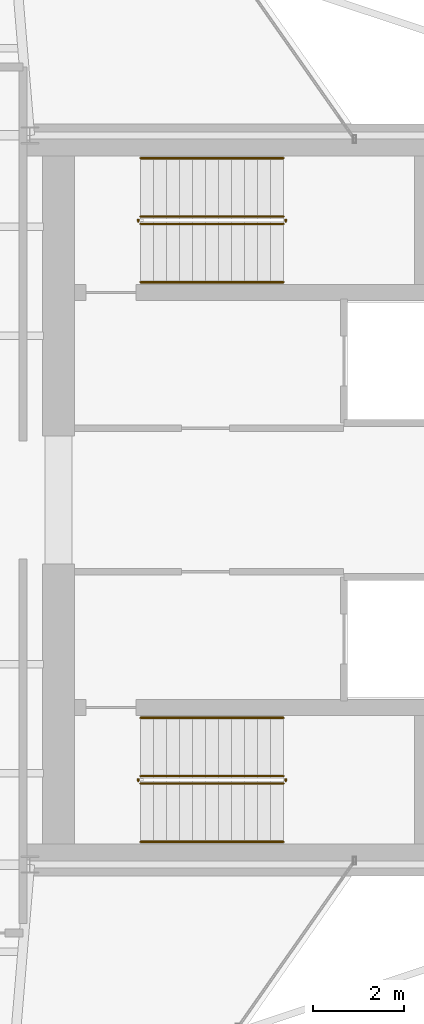
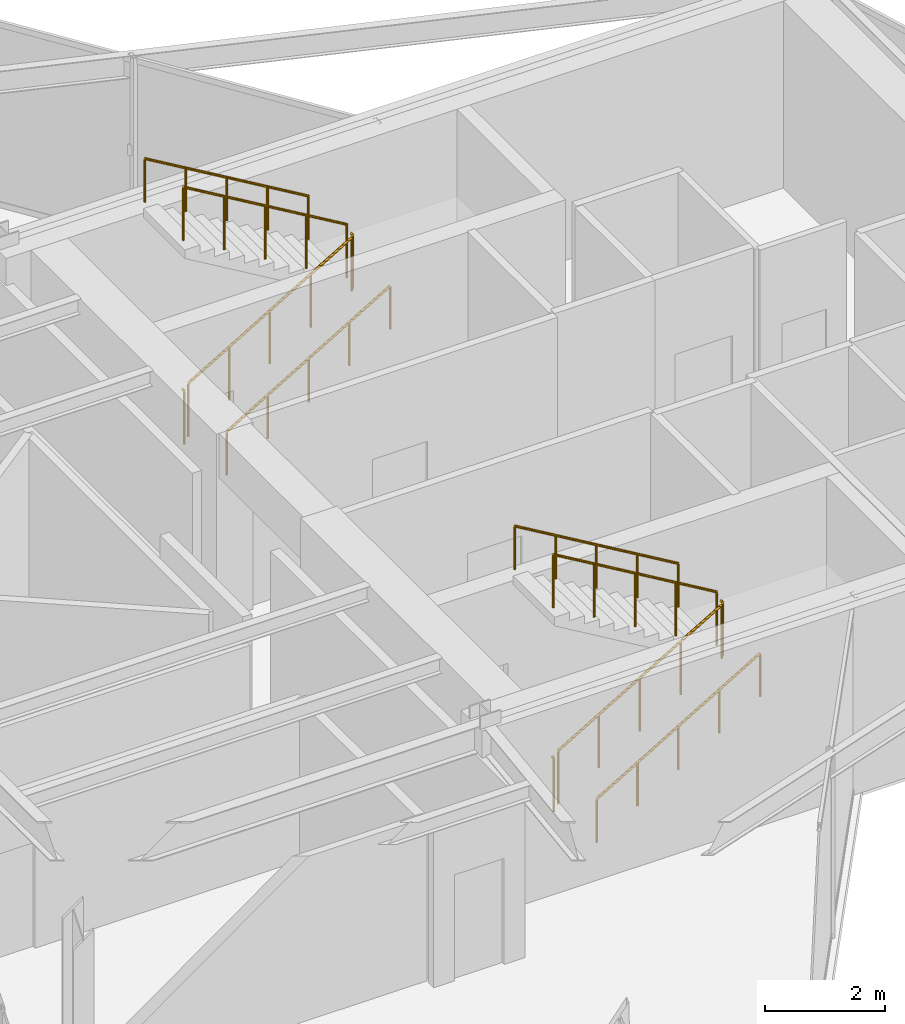
# One storey, part 23 of 23: 12 railings.
"""IFC4 building model written with IfcOpenShell, lengths in metres."""

from ifc_helpers import new_model, si_unit, direction, frame, origin, origin_2d, place, context, subcontext, project, spatial, circle, extrude, material, type_object, element, save


model = new_model("IFC4")

# Units and contexts
model_context = context("Model", 3, precision=1e-05, world=origin(), true_north=direction((0.0, 1.0)))
body_context = subcontext(model_context, "Body", "Model", "MODEL_VIEW")
ifc_project = project(units=[si_unit("LENGTHUNIT", "METRE"), si_unit("AREAUNIT", "SQUARE_METRE"), si_unit("VOLUMEUNIT", "CUBIC_METRE"), si_unit("PLANEANGLEUNIT", "RADIAN"), si_unit("MASSUNIT", "GRAM", prefix="KILO")], contexts=[model_context])

# Site, building, storey
site_placement = place(None, origin())
site = spatial("IfcSite", under=ifc_project, at=site_placement, CompositionType="ELEMENT")
building_placement = place(site_placement, origin())
building = spatial("IfcBuilding", under=site, at=building_placement, Name="Veymaron Broadcast Tower", CompositionType="ELEMENT")
storey_placement = place(building_placement, frame((0.0, 0.0, 224.25)))
storey = spatial("IfcBuildingStorey", under=building, at=storey_placement, Name="L52", CompositionType="ELEMENT", Elevation=224.25)

# Railings
ifc_material_1 = material(Name="Brushed stainless steel AISI 304", Category="steel")
railing_type_1 = type_object("IfcRailingType", Name="RAIL-STAIR-HR", PredefinedType="HANDRAIL", material=ifc_material_1)
railing_1_placement = place(storey_placement, frame((41.429931640625, 28.780029296875, 0.168701171875)))
element("IfcRailing", 1, at=railing_1_placement, inside=storey, type_object=railing_type_1, Name="L52 ST1 stair handrail 1", PredefinedType="HANDRAIL", context=body_context, shape_type="SweptSolid", body=[
    extrude(circle(Radius=0.02392578125, at=origin_2d()), frame((0.0, 0.0, 0.8759765625), z_axis=(0.860481960309, 0.0, 0.509480908359), x_axis=(0.0, 1.0, 0.0)), (0.0, 0.0, 1.0), 3.643310546875),
    extrude(circle(Radius=0.02099609375, at=origin_2d()), origin(), (0.0, 0.0, 1.0), 0.851806640625),
    extrude(circle(Radius=0.02099609375, at=origin_2d()), frame((0.78369140625, 0.0, 0.464111328125)), (0.0, 0.0, 1.0), 0.851806640625),
    extrude(circle(Radius=0.02099609375, at=origin_2d()), frame((1.5673828125, 0.0, 0.92822265625)), (0.0, 0.0, 1.0), 0.851806640625),
    extrude(circle(Radius=0.02099609375, at=origin_2d()), frame((2.351318359375, 0.0, 1.39208984375)), (0.0, 0.0, 1.0), 0.851806640625),
    extrude(circle(Radius=0.02099609375, at=origin_2d()), frame((3.135009765625, 0.0, 1.856201171875)), (0.0, 0.0, 1.0), 0.851806640625),
])
railing_2_placement = place(storey_placement, frame((44.56494140625, 31.5, 2.19384765625)))
element("IfcRailing", 2, at=railing_2_placement, inside=storey, type_object=railing_type_1, Name="L52 ST1 stair handrail 2", PredefinedType="HANDRAIL", context=body_context, shape_type="SweptSolid", body=[
    extrude(circle(Radius=0.02392578125, at=origin_2d()), frame((0.0, 0.0, 0.8759765625), z_axis=(-0.860481960309, 0.0, 0.509480908359), x_axis=(0.0, -1.0, 0.0)), (0.0, 0.0, 1.0), 3.643310546875),
    extrude(circle(Radius=0.02099609375, at=origin_2d()), origin(), (0.0, 0.0, 1.0), 0.851806640625),
    extrude(circle(Radius=0.02099609375, at=origin_2d()), frame((-0.78369140625, 0.0, 0.464111328125)), (0.0, 0.0, 1.0), 0.851806640625),
    extrude(circle(Radius=0.02099609375, at=origin_2d()), frame((-1.5673828125, 0.0, 0.92822265625)), (0.0, 0.0, 1.0), 0.851806640625),
    extrude(circle(Radius=0.02099609375, at=origin_2d()), frame((-2.351318359375, 0.0, 1.39208984375)), (0.0, 0.0, 1.0), 0.851806640625),
    extrude(circle(Radius=0.02099609375, at=origin_2d()), frame((-3.135009765625, 0.0, 1.856201171875)), (0.0, 0.0, 1.0), 0.851806640625),
])
railing_3_placement = place(storey_placement, frame((41.429931640625, 16.5, 0.168701171875)))
element("IfcRailing", 3, at=railing_3_placement, inside=storey, type_object=railing_type_1, Name="L52 ST2 stair handrail 1", PredefinedType="HANDRAIL", context=body_context, shape_type="SweptSolid", body=[
    extrude(circle(Radius=0.02392578125, at=origin_2d()), frame((0.0, 0.0, 0.8759765625), z_axis=(0.860481960309, 0.0, 0.509480908359), x_axis=(0.0, 1.0, 0.0)), (0.0, 0.0, 1.0), 3.643310546875),
    extrude(circle(Radius=0.02099609375, at=origin_2d()), origin(), (0.0, 0.0, 1.0), 0.851806640625),
    extrude(circle(Radius=0.02099609375, at=origin_2d()), frame((0.78369140625, 0.0, 0.464111328125)), (0.0, 0.0, 1.0), 0.851806640625),
    extrude(circle(Radius=0.02099609375, at=origin_2d()), frame((1.5673828125, 0.0, 0.92822265625)), (0.0, 0.0, 1.0), 0.851806640625),
    extrude(circle(Radius=0.02099609375, at=origin_2d()), frame((2.351318359375, 0.0, 1.39208984375)), (0.0, 0.0, 1.0), 0.851806640625),
    extrude(circle(Radius=0.02099609375, at=origin_2d()), frame((3.135009765625, 0.0, 1.856201171875)), (0.0, 0.0, 1.0), 0.851806640625),
])
railing_4_placement = place(storey_placement, frame((44.56494140625, 19.219970703125, 2.19384765625)))
element("IfcRailing", 4, at=railing_4_placement, inside=storey, type_object=railing_type_1, Name="L52 ST2 stair handrail 2", PredefinedType="HANDRAIL", context=body_context, shape_type="SweptSolid", body=[
    extrude(circle(Radius=0.02392578125, at=origin_2d()), frame((0.0, 0.0, 0.8759765625), z_axis=(-0.860481960309, 0.0, 0.509480908359), x_axis=(0.0, -1.0, 0.0)), (0.0, 0.0, 1.0), 3.643310546875),
    extrude(circle(Radius=0.02099609375, at=origin_2d()), origin(), (0.0, 0.0, 1.0), 0.851806640625),
    extrude(circle(Radius=0.02099609375, at=origin_2d()), frame((-0.78369140625, 0.0, 0.464111328125)), (0.0, 0.0, 1.0), 0.851806640625),
    extrude(circle(Radius=0.02099609375, at=origin_2d()), frame((-1.5673828125, 0.0, 0.92822265625)), (0.0, 0.0, 1.0), 0.851806640625),
    extrude(circle(Radius=0.02099609375, at=origin_2d()), frame((-2.351318359375, 0.0, 1.39208984375)), (0.0, 0.0, 1.0), 0.851806640625),
    extrude(circle(Radius=0.02099609375, at=origin_2d()), frame((-3.135009765625, 0.0, 1.856201171875)), (0.0, 0.0, 1.0), 0.851806640625),
])
ifc_material_2 = material(Name="Painted galvanized steel balustrade", Category="steel")
railing_type_2 = type_object("IfcRailingType", Name="RAIL-WELL-GRD", PredefinedType="GUARDRAIL", material=ifc_material_2)
railing_5_placement = place(storey_placement, frame((41.429931640625, 30.06005859375, 0.168701171875)))
element("IfcRailing", 5, at=railing_5_placement, inside=storey, type_object=railing_type_2, Name="L52 ST1 stair guard 1", PredefinedType="GUARDRAIL", context=body_context, shape_type="SweptSolid", body=[
    extrude(circle(Radius=0.02392578125, at=origin_2d()), frame((0.0, 0.0, 1.076171875), z_axis=(0.860481960309, 0.0, 0.509480908359), x_axis=(0.0, 1.0, 0.0)), (0.0, 0.0, 1.0), 3.643310546875),
    extrude(circle(Radius=0.02099609375, at=origin_2d()), origin(), (0.0, 0.0, 1.0), 1.052001953125),
    extrude(circle(Radius=0.02099609375, at=origin_2d()), frame((0.78369140625, 0.0, 0.464111328125)), (0.0, 0.0, 1.0), 1.052001953125),
    extrude(circle(Radius=0.02099609375, at=origin_2d()), frame((1.5673828125, 0.0, 0.92822265625)), (0.0, 0.0, 1.0), 1.052001953125),
    extrude(circle(Radius=0.02099609375, at=origin_2d()), frame((2.351318359375, 0.0, 1.39208984375)), (0.0, 0.0, 1.0), 1.052001953125),
    extrude(circle(Radius=0.02099609375, at=origin_2d()), frame((3.135009765625, 0.0, 1.856201171875)), (0.0, 0.0, 1.0), 1.052001953125),
])
railing_6_placement = place(storey_placement, frame((44.614990234375, 30.110107421875, 2.02490234375)))
element("IfcRailing", 6, at=railing_6_placement, inside=storey, type_object=railing_type_2, Name="L52 ST1 stair guard 2", PredefinedType="GUARDRAIL", context=body_context, shape_type="SweptSolid", body=[
    extrude(circle(Radius=0.02392578125, at=origin_2d()), frame((0.0, 0.0, 1.076171875), z_axis=(0.0, 1.0, 0.0), x_axis=(-1.0, 0.0, 0.0)), (0.0, 0.0, 1.0), 0.059814453125),
    extrude(circle(Radius=0.02099609375, at=origin_2d()), origin(), (0.0, 0.0, 1.0), 1.052001953125),
])
railing_7_placement = place(storey_placement, frame((44.56494140625, 30.219970703125, 2.19384765625)))
element("IfcRailing", 7, at=railing_7_placement, inside=storey, type_object=railing_type_2, Name="L52 ST1 stair guard 3", PredefinedType="GUARDRAIL", context=body_context, shape_type="SweptSolid", body=[
    extrude(circle(Radius=0.02392578125, at=origin_2d()), frame((0.0, 0.0, 1.076171875), z_axis=(-0.860481960309, 0.0, 0.509480908359), x_axis=(0.0, -1.0, 0.0)), (0.0, 0.0, 1.0), 3.643310546875),
    extrude(circle(Radius=0.02099609375, at=origin_2d()), origin(), (0.0, 0.0, 1.0), 1.052001953125),
    extrude(circle(Radius=0.02099609375, at=origin_2d()), frame((-0.78369140625, 0.0, 0.464111328125)), (0.0, 0.0, 1.0), 1.052001953125),
    extrude(circle(Radius=0.02099609375, at=origin_2d()), frame((-1.5673828125, 0.0, 0.92822265625)), (0.0, 0.0, 1.0), 1.052001953125),
    extrude(circle(Radius=0.02099609375, at=origin_2d()), frame((-2.351318359375, 0.0, 1.39208984375)), (0.0, 0.0, 1.0), 1.052001953125),
    extrude(circle(Radius=0.02099609375, at=origin_2d()), frame((-3.135009765625, 0.0, 1.856201171875)), (0.0, 0.0, 1.0), 1.052001953125),
])
railing_8_placement = place(storey_placement, frame((41.3798828125, 30.110107421875, 0.0)))
element("IfcRailing", 8, at=railing_8_placement, inside=storey, type_object=railing_type_2, Name="L52 ST1 stair guard 4", PredefinedType="GUARDRAIL", context=body_context, shape_type="SweptSolid", body=[
    extrude(circle(Radius=0.02392578125, at=origin_2d()), frame((0.0, 0.0, 1.076171875), z_axis=(0.0, 1.0, 0.0), x_axis=(-1.0, 0.0, 0.0)), (0.0, 0.0, 1.0), 0.059814453125),
    extrude(circle(Radius=0.02099609375, at=origin_2d()), origin(), (0.0, 0.0, 1.0), 1.052001953125),
])
railing_9_placement = place(storey_placement, frame((41.429931640625, 17.780029296875, 0.168701171875)))
element("IfcRailing", 9, at=railing_9_placement, inside=storey, type_object=railing_type_2, Name="L52 ST2 stair guard 1", PredefinedType="GUARDRAIL", context=body_context, shape_type="SweptSolid", body=[
    extrude(circle(Radius=0.02392578125, at=origin_2d()), frame((0.0, 0.0, 1.076171875), z_axis=(0.860481960309, 0.0, 0.509480908359), x_axis=(0.0, 1.0, 0.0)), (0.0, 0.0, 1.0), 3.643310546875),
    extrude(circle(Radius=0.02099609375, at=origin_2d()), origin(), (0.0, 0.0, 1.0), 1.052001953125),
    extrude(circle(Radius=0.02099609375, at=origin_2d()), frame((0.78369140625, 0.0, 0.464111328125)), (0.0, 0.0, 1.0), 1.052001953125),
    extrude(circle(Radius=0.02099609375, at=origin_2d()), frame((1.5673828125, 0.0, 0.92822265625)), (0.0, 0.0, 1.0), 1.052001953125),
    extrude(circle(Radius=0.02099609375, at=origin_2d()), frame((2.351318359375, 0.0, 1.39208984375)), (0.0, 0.0, 1.0), 1.052001953125),
    extrude(circle(Radius=0.02099609375, at=origin_2d()), frame((3.135009765625, 0.0, 1.856201171875)), (0.0, 0.0, 1.0), 1.052001953125),
])
railing_10_placement = place(storey_placement, frame((44.614990234375, 17.830078125, 2.02490234375)))
element("IfcRailing", 10, at=railing_10_placement, inside=storey, type_object=railing_type_2, Name="L52 ST2 stair guard 2", PredefinedType="GUARDRAIL", context=body_context, shape_type="SweptSolid", body=[
    extrude(circle(Radius=0.02392578125, at=origin_2d()), frame((0.0, 0.0, 1.076171875), z_axis=(0.0, 1.0, 0.0), x_axis=(-1.0, 0.0, 0.0)), (0.0, 0.0, 1.0), 0.059814453125),
    extrude(circle(Radius=0.02099609375, at=origin_2d()), origin(), (0.0, 0.0, 1.0), 1.052001953125),
])
railing_11_placement = place(storey_placement, frame((44.56494140625, 17.93994140625, 2.19384765625)))
element("IfcRailing", 11, at=railing_11_placement, inside=storey, type_object=railing_type_2, Name="L52 ST2 stair guard 3", PredefinedType="GUARDRAIL", context=body_context, shape_type="SweptSolid", body=[
    extrude(circle(Radius=0.02392578125, at=origin_2d()), frame((0.0, 0.0, 1.076171875), z_axis=(-0.860481960309, 0.0, 0.509480908359), x_axis=(0.0, -1.0, 0.0)), (0.0, 0.0, 1.0), 3.643310546875),
    extrude(circle(Radius=0.02099609375, at=origin_2d()), origin(), (0.0, 0.0, 1.0), 1.052001953125),
    extrude(circle(Radius=0.02099609375, at=origin_2d()), frame((-0.78369140625, 0.0, 0.464111328125)), (0.0, 0.0, 1.0), 1.052001953125),
    extrude(circle(Radius=0.02099609375, at=origin_2d()), frame((-1.5673828125, 0.0, 0.92822265625)), (0.0, 0.0, 1.0), 1.052001953125),
    extrude(circle(Radius=0.02099609375, at=origin_2d()), frame((-2.351318359375, 0.0, 1.39208984375)), (0.0, 0.0, 1.0), 1.052001953125),
    extrude(circle(Radius=0.02099609375, at=origin_2d()), frame((-3.135009765625, 0.0, 1.856201171875)), (0.0, 0.0, 1.0), 1.052001953125),
])
railing_12_placement = place(storey_placement, frame((41.3798828125, 17.830078125, 0.0)))
element("IfcRailing", 12, at=railing_12_placement, inside=storey, type_object=railing_type_2, Name="L52 ST2 stair guard 4", PredefinedType="GUARDRAIL", context=body_context, shape_type="SweptSolid", body=[
    extrude(circle(Radius=0.02392578125, at=origin_2d()), frame((0.0, 0.0, 1.076171875), z_axis=(0.0, 1.0, 0.0), x_axis=(-1.0, 0.0, 0.0)), (0.0, 0.0, 1.0), 0.059814453125),
    extrude(circle(Radius=0.02099609375, at=origin_2d()), origin(), (0.0, 0.0, 1.0), 1.052001953125),
])

save(model, "model.ifc")
